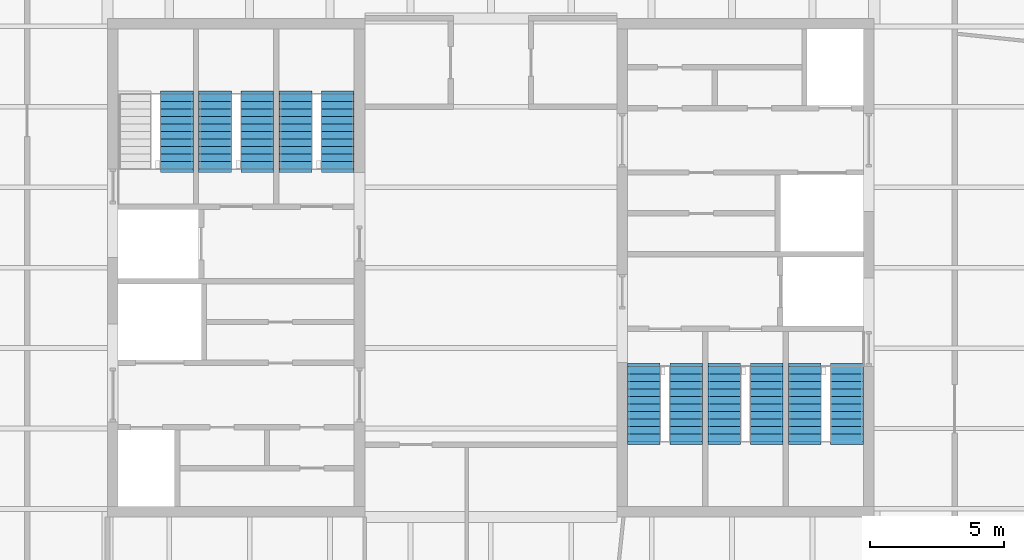
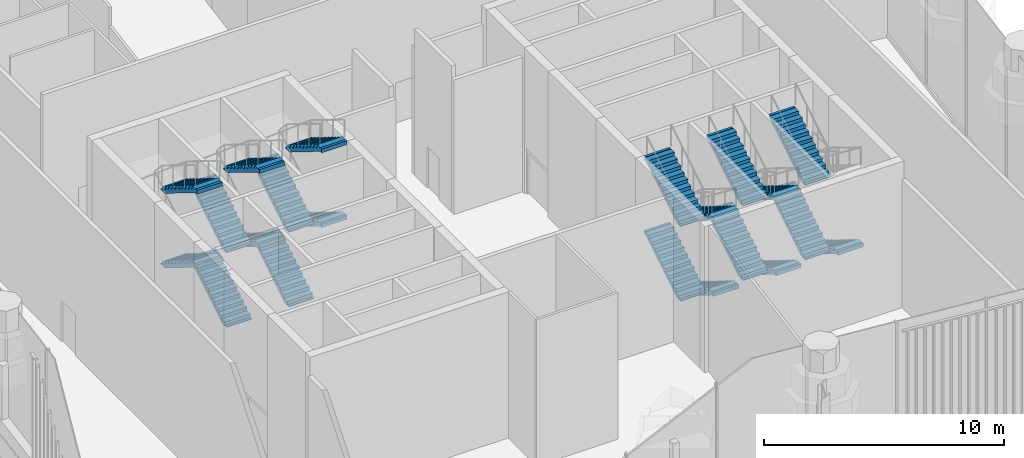
# One storey, part 13 of 17: 21 stair flights, 6 elements without a shape of their own.
"""IFC4 building model written with IfcOpenShell, lengths in metres."""

from ifc_helpers import new_model, si_unit, direction, frame, origin, place, context, subcontext, project, spatial, polyline, outline, extrude, material, type_object, element, aggregate, save


model = new_model("IFC4")

# Units and contexts
model_context = context("Model", 3, precision=1e-05, world=origin(), true_north=direction((0.0, 1.0)))
body_context = subcontext(model_context, "Body", "Model", "MODEL_VIEW")
ifc_project = project(units=[si_unit("LENGTHUNIT", "METRE"), si_unit("AREAUNIT", "SQUARE_METRE"), si_unit("VOLUMEUNIT", "CUBIC_METRE"), si_unit("PLANEANGLEUNIT", "RADIAN"), si_unit("MASSUNIT", "GRAM", prefix="KILO")], contexts=[model_context])

# Site, building, storey
site_placement = place(None, origin())
site = spatial("IfcSite", under=ifc_project, at=site_placement, CompositionType="ELEMENT")
building_placement = place(site_placement, origin())
building = spatial("IfcBuilding", under=site, at=building_placement, Name="Millrace Tower", CompositionType="ELEMENT")
storey_placement = place(building_placement, frame((0.0, 0.0, 311.10009765625)))
storey = spatial("IfcBuildingStorey", under=building, at=storey_placement, Name="L72", CompositionType="ELEMENT", Elevation=311.10009765625)

# Stair, stair flights
ifc_material_1 = material(Name="Concrete C35", Category="concrete")
stair_type = type_object("IfcStairType", Name="Exit stair", PredefinedType="HALF_TURN_STAIR", material=ifc_material_1)
placement = place(storey_placement, origin())
stair_1 = element("IfcStair", 1, at=placement, inside=storey, type_object=stair_type, Name="Stair 1 W L72", PredefinedType="HALF_TURN_STAIR")
ifc_material_2 = material(Name="Concrete C35", Category="concrete")
stair_flight_type = type_object("IfcStairFlightType", Name="Exit stair flight", PredefinedType="STRAIGHT", material=ifc_material_2)
stair_flight_1_placement = place(storey_placement, frame((-11.7099609375, 6.47998046875, 1.89990234375), z_axis=(0.0, 0.0, 1.0), x_axis=(0.0, -1.0, 0.0)))
stair_flight_1 = element("IfcStairFlight", 2, at=stair_flight_1_placement, type_object=stair_flight_type, Name="ST12 flight 2", NumberOfRisers=11, NumberOfTreads=10, PredefinedType="STRAIGHT", RiserHeight=0.172727273, TreadLength=0.28, context=body_context, shape_type="SweptSolid", body=[
    extrude(outline(polyline([(-0.1201171875, -0.0400390625), (-0.1201171875, 0.0), (0.0, 0.0), (0.0, 0.172607421875), (0.280029296875, 0.172607421875), (0.280029296875, 0.345458984375), (0.56005859375, 0.345458984375), (0.56005859375, 0.51806640625), (0.840087890625, 0.51806640625), (0.840087890625, 0.69091796875), (1.1201171875, 0.69091796875), (1.1201171875, 0.863525390625), (1.39990234375, 0.863525390625), (1.39990234375, 1.036376953125), (1.679931640625, 1.036376953125), (1.679931640625, 1.208984375), (1.9599609375, 1.208984375), (1.9599609375, 1.3818359375), (2.239990234375, 1.3818359375), (2.239990234375, 1.554443359375), (2.52001953125, 1.554443359375), (2.52001953125, 1.727294921875), (2.800048828125, 1.727294921875), (2.800048828125, 1.747314453125), (2.919921875, 1.747314453125), (2.919921875, 1.551025390625), (2.800048828125, 1.551025390625), (0.285400390625, 0.0), (0.285400390625, -0.0400390625), (-0.1201171875, -0.0400390625)])), frame((0.0, 0.60986328125, 0.0), z_axis=(0.0, -1.0, 0.0), x_axis=(1.0, 0.0, 0.0)), (0.0, 0.0, 1.0), 1.219970703125),
])
stair_flight_2_placement = place(storey_placement, frame((-11.7099609375, 6.47998046875, 5.699951171875), z_axis=(0.0, 0.0, 1.0), x_axis=(0.0, -1.0, 0.0)))
stair_flight_2 = element("IfcStairFlight", 3, at=stair_flight_2_placement, type_object=stair_flight_type, Name="ST12 flight 4", NumberOfRisers=11, NumberOfTreads=10, PredefinedType="STRAIGHT", RiserHeight=0.172727273, TreadLength=0.28, context=body_context, shape_type="SweptSolid", body=[
    extrude(outline(polyline([(-0.1201171875, -0.0400390625), (-0.1201171875, 0.0), (0.0, 0.0), (0.0, 0.172607421875), (0.280029296875, 0.172607421875), (0.280029296875, 0.345458984375), (0.56005859375, 0.345458984375), (0.56005859375, 0.51806640625), (0.840087890625, 0.51806640625), (0.840087890625, 0.69091796875), (1.1201171875, 0.69091796875), (1.1201171875, 0.863525390625), (1.39990234375, 0.863525390625), (1.39990234375, 1.036376953125), (1.679931640625, 1.036376953125), (1.679931640625, 1.208984375), (1.9599609375, 1.208984375), (1.9599609375, 1.3818359375), (2.239990234375, 1.3818359375), (2.239990234375, 1.554443359375), (2.52001953125, 1.554443359375), (2.52001953125, 1.727294921875), (2.800048828125, 1.727294921875), (2.800048828125, 1.747314453125), (2.919921875, 1.747314453125), (2.919921875, 1.551025390625), (2.800048828125, 1.551025390625), (0.285400390625, 0.0), (0.285400390625, -0.0400390625), (-0.1201171875, -0.0400390625)])), frame((0.0, 0.60986328125, 0.0), z_axis=(0.0, -1.0, 0.0), x_axis=(1.0, 0.0, 0.0)), (0.0, 0.0, 1.0), 1.219970703125),
])
aggregate(stair_1, [stair_flight_1, stair_flight_2])

stair_2 = element("IfcStair", 4, at=placement, inside=storey, type_object=stair_type, Name="Stair 2 W L72", PredefinedType="HALF_TURN_STAIR")
stair_flight_3_placement = place(storey_placement, frame((-10.2900390625, 3.679931640625, 0.0), z_axis=(0.0, 0.0, 1.0), x_axis=(0.0, 1.0, 0.0)))
stair_flight_3 = element("IfcStairFlight", 5, at=stair_flight_3_placement, type_object=stair_flight_type, Name="ST12 flight 1", NumberOfRisers=11, NumberOfTreads=10, PredefinedType="STRAIGHT", RiserHeight=0.172727273, TreadLength=0.28, context=body_context, shape_type="SweptSolid", body=[
    extrude(outline(polyline([(-0.1201171875, -0.0400390625), (-0.1201171875, 0.0), (0.0, 0.0), (0.0, 0.172607421875), (0.280029296875, 0.172607421875), (0.280029296875, 0.345458984375), (0.56005859375, 0.345458984375), (0.56005859375, 0.51806640625), (0.840087890625, 0.51806640625), (0.840087890625, 0.69091796875), (1.1201171875, 0.69091796875), (1.1201171875, 0.863525390625), (1.39990234375, 0.863525390625), (1.39990234375, 1.036376953125), (1.679931640625, 1.036376953125), (1.679931640625, 1.208984375), (1.9599609375, 1.208984375), (1.9599609375, 1.3818359375), (2.239990234375, 1.3818359375), (2.239990234375, 1.554443359375), (2.52001953125, 1.554443359375), (2.52001953125, 1.727294921875), (2.800048828125, 1.727294921875), (2.800048828125, 1.747314453125), (2.919921875, 1.747314453125), (2.919921875, 1.551025390625), (2.800048828125, 1.551025390625), (0.285400390625, 0.0), (0.285400390625, -0.0400390625), (-0.1201171875, -0.0400390625)])), frame((0.0, 0.60986328125, 0.0), z_axis=(0.0, -1.0, 0.0), x_axis=(1.0, 0.0, 0.0)), (0.0, 0.0, 1.0), 1.219970703125),
])
stair_flight_4_placement = place(storey_placement, frame((-8.7099609375, 6.47998046875, 1.89990234375), z_axis=(0.0, 0.0, 1.0), x_axis=(0.0, -1.0, 0.0)))
stair_flight_4 = element("IfcStairFlight", 6, at=stair_flight_4_placement, type_object=stair_flight_type, Name="ST12 flight 2", NumberOfRisers=11, NumberOfTreads=10, PredefinedType="STRAIGHT", RiserHeight=0.172727273, TreadLength=0.28, context=body_context, shape_type="SweptSolid", body=[
    extrude(outline(polyline([(-0.1201171875, -0.0400390625), (-0.1201171875, 0.0), (0.0, 0.0), (0.0, 0.172607421875), (0.280029296875, 0.172607421875), (0.280029296875, 0.345458984375), (0.56005859375, 0.345458984375), (0.56005859375, 0.51806640625), (0.840087890625, 0.51806640625), (0.840087890625, 0.69091796875), (1.1201171875, 0.69091796875), (1.1201171875, 0.863525390625), (1.39990234375, 0.863525390625), (1.39990234375, 1.036376953125), (1.679931640625, 1.036376953125), (1.679931640625, 1.208984375), (1.9599609375, 1.208984375), (1.9599609375, 1.3818359375), (2.239990234375, 1.3818359375), (2.239990234375, 1.554443359375), (2.52001953125, 1.554443359375), (2.52001953125, 1.727294921875), (2.800048828125, 1.727294921875), (2.800048828125, 1.747314453125), (2.919921875, 1.747314453125), (2.919921875, 1.551025390625), (2.800048828125, 1.551025390625), (0.285400390625, 0.0), (0.285400390625, -0.0400390625), (-0.1201171875, -0.0400390625)])), frame((0.0, 0.60986328125, 0.0), z_axis=(0.0, -1.0, 0.0), x_axis=(1.0, 0.0, 0.0)), (0.0, 0.0, 1.0), 1.219970703125),
])
stair_flight_5_placement = place(storey_placement, frame((-10.2900390625, 3.679931640625, 3.7998046875), z_axis=(0.0, 0.0, 1.0), x_axis=(0.0, 1.0, 0.0)))
stair_flight_5 = element("IfcStairFlight", 7, at=stair_flight_5_placement, type_object=stair_flight_type, Name="ST12 flight 3", NumberOfRisers=11, NumberOfTreads=10, PredefinedType="STRAIGHT", RiserHeight=0.172727273, TreadLength=0.28, context=body_context, shape_type="SweptSolid", body=[
    extrude(outline(polyline([(-0.1201171875, -0.0400390625), (-0.1201171875, 0.0), (0.0, 0.0), (0.0, 0.172607421875), (0.280029296875, 0.172607421875), (0.280029296875, 0.345458984375), (0.56005859375, 0.345458984375), (0.56005859375, 0.51806640625), (0.840087890625, 0.51806640625), (0.840087890625, 0.69091796875), (1.1201171875, 0.69091796875), (1.1201171875, 0.863525390625), (1.39990234375, 0.863525390625), (1.39990234375, 1.036376953125), (1.679931640625, 1.036376953125), (1.679931640625, 1.208984375), (1.9599609375, 1.208984375), (1.9599609375, 1.3818359375), (2.239990234375, 1.3818359375), (2.239990234375, 1.554443359375), (2.52001953125, 1.554443359375), (2.52001953125, 1.727294921875), (2.800048828125, 1.727294921875), (2.800048828125, 1.747314453125), (2.919921875, 1.747314453125), (2.919921875, 1.551025390625), (2.800048828125, 1.551025390625), (0.285400390625, 0.0), (0.285400390625, -0.0400390625), (-0.1201171875, -0.0400390625)])), frame((0.0, 0.60986328125, 0.0), z_axis=(0.0, -1.0, 0.0), x_axis=(1.0, 0.0, 0.0)), (0.0, 0.0, 1.0), 1.219970703125),
])
stair_flight_6_placement = place(storey_placement, frame((-8.7099609375, 6.47998046875, 5.699951171875), z_axis=(0.0, 0.0, 1.0), x_axis=(0.0, -1.0, 0.0)))
stair_flight_6 = element("IfcStairFlight", 8, at=stair_flight_6_placement, type_object=stair_flight_type, Name="ST12 flight 4", NumberOfRisers=11, NumberOfTreads=10, PredefinedType="STRAIGHT", RiserHeight=0.172727273, TreadLength=0.28, context=body_context, shape_type="SweptSolid", body=[
    extrude(outline(polyline([(-0.1201171875, -0.0400390625), (-0.1201171875, 0.0), (0.0, 0.0), (0.0, 0.172607421875), (0.280029296875, 0.172607421875), (0.280029296875, 0.345458984375), (0.56005859375, 0.345458984375), (0.56005859375, 0.51806640625), (0.840087890625, 0.51806640625), (0.840087890625, 0.69091796875), (1.1201171875, 0.69091796875), (1.1201171875, 0.863525390625), (1.39990234375, 0.863525390625), (1.39990234375, 1.036376953125), (1.679931640625, 1.036376953125), (1.679931640625, 1.208984375), (1.9599609375, 1.208984375), (1.9599609375, 1.3818359375), (2.239990234375, 1.3818359375), (2.239990234375, 1.554443359375), (2.52001953125, 1.554443359375), (2.52001953125, 1.727294921875), (2.800048828125, 1.727294921875), (2.800048828125, 1.747314453125), (2.919921875, 1.747314453125), (2.919921875, 1.551025390625), (2.800048828125, 1.551025390625), (0.285400390625, 0.0), (0.285400390625, -0.0400390625), (-0.1201171875, -0.0400390625)])), frame((0.0, 0.60986328125, 0.0), z_axis=(0.0, -1.0, 0.0), x_axis=(1.0, 0.0, 0.0)), (0.0, 0.0, 1.0), 1.219970703125),
])
aggregate(stair_2, [stair_flight_3, stair_flight_4, stair_flight_5, stair_flight_6])

stair_3 = element("IfcStair", 9, at=placement, inside=storey, type_object=stair_type, Name="Stair 3 W L72", PredefinedType="HALF_TURN_STAIR")
stair_flight_7_placement = place(storey_placement, frame((-7.2900390625, 3.679931640625, 0.0), z_axis=(0.0, 0.0, 1.0), x_axis=(0.0, 1.0, 0.0)))
stair_flight_7 = element("IfcStairFlight", 10, at=stair_flight_7_placement, type_object=stair_flight_type, Name="ST12 flight 1", NumberOfRisers=11, NumberOfTreads=10, PredefinedType="STRAIGHT", RiserHeight=0.172727273, TreadLength=0.28, context=body_context, shape_type="SweptSolid", body=[
    extrude(outline(polyline([(-0.1201171875, -0.0400390625), (-0.1201171875, 0.0), (0.0, 0.0), (0.0, 0.172607421875), (0.280029296875, 0.172607421875), (0.280029296875, 0.345458984375), (0.56005859375, 0.345458984375), (0.56005859375, 0.51806640625), (0.840087890625, 0.51806640625), (0.840087890625, 0.69091796875), (1.1201171875, 0.69091796875), (1.1201171875, 0.863525390625), (1.39990234375, 0.863525390625), (1.39990234375, 1.036376953125), (1.679931640625, 1.036376953125), (1.679931640625, 1.208984375), (1.9599609375, 1.208984375), (1.9599609375, 1.3818359375), (2.239990234375, 1.3818359375), (2.239990234375, 1.554443359375), (2.52001953125, 1.554443359375), (2.52001953125, 1.727294921875), (2.800048828125, 1.727294921875), (2.800048828125, 1.747314453125), (2.919921875, 1.747314453125), (2.919921875, 1.551025390625), (2.800048828125, 1.551025390625), (0.285400390625, 0.0), (0.285400390625, -0.0400390625), (-0.1201171875, -0.0400390625)])), frame((0.0, 0.60986328125, 0.0), z_axis=(0.0, -1.0, 0.0), x_axis=(1.0, 0.0, 0.0)), (0.0, 0.0, 1.0), 1.219970703125),
])
stair_flight_8_placement = place(storey_placement, frame((-5.7099609375, 6.47998046875, 1.89990234375), z_axis=(0.0, 0.0, 1.0), x_axis=(0.0, -1.0, 0.0)))
stair_flight_8 = element("IfcStairFlight", 11, at=stair_flight_8_placement, type_object=stair_flight_type, Name="ST12 flight 2", NumberOfRisers=11, NumberOfTreads=10, PredefinedType="STRAIGHT", RiserHeight=0.172727273, TreadLength=0.28, context=body_context, shape_type="SweptSolid", body=[
    extrude(outline(polyline([(-0.1201171875, -0.0400390625), (-0.1201171875, 0.0), (0.0, 0.0), (0.0, 0.172607421875), (0.280029296875, 0.172607421875), (0.280029296875, 0.345458984375), (0.56005859375, 0.345458984375), (0.56005859375, 0.51806640625), (0.840087890625, 0.51806640625), (0.840087890625, 0.69091796875), (1.1201171875, 0.69091796875), (1.1201171875, 0.863525390625), (1.39990234375, 0.863525390625), (1.39990234375, 1.036376953125), (1.679931640625, 1.036376953125), (1.679931640625, 1.208984375), (1.9599609375, 1.208984375), (1.9599609375, 1.3818359375), (2.239990234375, 1.3818359375), (2.239990234375, 1.554443359375), (2.52001953125, 1.554443359375), (2.52001953125, 1.727294921875), (2.800048828125, 1.727294921875), (2.800048828125, 1.747314453125), (2.919921875, 1.747314453125), (2.919921875, 1.551025390625), (2.800048828125, 1.551025390625), (0.285400390625, 0.0), (0.285400390625, -0.0400390625), (-0.1201171875, -0.0400390625)])), frame((0.0, 0.60986328125, 0.0), z_axis=(0.0, -1.0, 0.0), x_axis=(1.0, 0.0, 0.0)), (0.0, 0.0, 1.0), 1.219970703125),
])
stair_flight_9_placement = place(storey_placement, frame((-7.2900390625, 3.679931640625, 3.7998046875), z_axis=(0.0, 0.0, 1.0), x_axis=(0.0, 1.0, 0.0)))
stair_flight_9 = element("IfcStairFlight", 12, at=stair_flight_9_placement, type_object=stair_flight_type, Name="ST12 flight 3", NumberOfRisers=11, NumberOfTreads=10, PredefinedType="STRAIGHT", RiserHeight=0.172727273, TreadLength=0.28, context=body_context, shape_type="SweptSolid", body=[
    extrude(outline(polyline([(-0.1201171875, -0.0400390625), (-0.1201171875, 0.0), (0.0, 0.0), (0.0, 0.172607421875), (0.280029296875, 0.172607421875), (0.280029296875, 0.345458984375), (0.56005859375, 0.345458984375), (0.56005859375, 0.51806640625), (0.840087890625, 0.51806640625), (0.840087890625, 0.69091796875), (1.1201171875, 0.69091796875), (1.1201171875, 0.863525390625), (1.39990234375, 0.863525390625), (1.39990234375, 1.036376953125), (1.679931640625, 1.036376953125), (1.679931640625, 1.208984375), (1.9599609375, 1.208984375), (1.9599609375, 1.3818359375), (2.239990234375, 1.3818359375), (2.239990234375, 1.554443359375), (2.52001953125, 1.554443359375), (2.52001953125, 1.727294921875), (2.800048828125, 1.727294921875), (2.800048828125, 1.747314453125), (2.919921875, 1.747314453125), (2.919921875, 1.551025390625), (2.800048828125, 1.551025390625), (0.285400390625, 0.0), (0.285400390625, -0.0400390625), (-0.1201171875, -0.0400390625)])), frame((0.0, 0.60986328125, 0.0), z_axis=(0.0, -1.0, 0.0), x_axis=(1.0, 0.0, 0.0)), (0.0, 0.0, 1.0), 1.219970703125),
])
stair_flight_10_placement = place(storey_placement, frame((-5.7099609375, 6.47998046875, 5.699951171875), z_axis=(0.0, 0.0, 1.0), x_axis=(0.0, -1.0, 0.0)))
stair_flight_10 = element("IfcStairFlight", 13, at=stair_flight_10_placement, type_object=stair_flight_type, Name="ST12 flight 4", NumberOfRisers=11, NumberOfTreads=10, PredefinedType="STRAIGHT", RiserHeight=0.172727273, TreadLength=0.28, context=body_context, shape_type="SweptSolid", body=[
    extrude(outline(polyline([(-0.1201171875, -0.0400390625), (-0.1201171875, 0.0), (0.0, 0.0), (0.0, 0.172607421875), (0.280029296875, 0.172607421875), (0.280029296875, 0.345458984375), (0.56005859375, 0.345458984375), (0.56005859375, 0.51806640625), (0.840087890625, 0.51806640625), (0.840087890625, 0.69091796875), (1.1201171875, 0.69091796875), (1.1201171875, 0.863525390625), (1.39990234375, 0.863525390625), (1.39990234375, 1.036376953125), (1.679931640625, 1.036376953125), (1.679931640625, 1.208984375), (1.9599609375, 1.208984375), (1.9599609375, 1.3818359375), (2.239990234375, 1.3818359375), (2.239990234375, 1.554443359375), (2.52001953125, 1.554443359375), (2.52001953125, 1.727294921875), (2.800048828125, 1.727294921875), (2.800048828125, 1.747314453125), (2.919921875, 1.747314453125), (2.919921875, 1.551025390625), (2.800048828125, 1.551025390625), (0.285400390625, 0.0), (0.285400390625, -0.0400390625), (-0.1201171875, -0.0400390625)])), frame((0.0, 0.60986328125, 0.0), z_axis=(0.0, -1.0, 0.0), x_axis=(1.0, 0.0, 0.0)), (0.0, 0.0, 1.0), 1.219970703125),
])
aggregate(stair_3, [stair_flight_7, stair_flight_8, stair_flight_9, stair_flight_10])

stair_4 = element("IfcStair", 14, at=placement, inside=storey, type_object=stair_type, Name="Stair 1 E L72", PredefinedType="HALF_TURN_STAIR")
stair_flight_11_placement = place(storey_placement, frame((13.2900390625, -3.679931640625, 0.0), z_axis=(0.0, 0.0, 1.0), x_axis=(0.0, -1.0, 0.0)))
stair_flight_11 = element("IfcStairFlight", 15, at=stair_flight_11_placement, type_object=stair_flight_type, Name="ST12 flight 1", NumberOfRisers=11, NumberOfTreads=10, PredefinedType="STRAIGHT", RiserHeight=0.172727273, TreadLength=0.28, context=body_context, shape_type="SweptSolid", body=[
    extrude(outline(polyline([(-0.1201171875, -0.0400390625), (-0.1201171875, 0.0), (0.0, 0.0), (0.0, 0.172607421875), (0.280029296875, 0.172607421875), (0.280029296875, 0.345458984375), (0.56005859375, 0.345458984375), (0.56005859375, 0.51806640625), (0.840087890625, 0.51806640625), (0.840087890625, 0.69091796875), (1.1201171875, 0.69091796875), (1.1201171875, 0.863525390625), (1.39990234375, 0.863525390625), (1.39990234375, 1.036376953125), (1.679931640625, 1.036376953125), (1.679931640625, 1.208984375), (1.9599609375, 1.208984375), (1.9599609375, 1.3818359375), (2.239990234375, 1.3818359375), (2.239990234375, 1.554443359375), (2.52001953125, 1.554443359375), (2.52001953125, 1.727294921875), (2.800048828125, 1.727294921875), (2.800048828125, 1.747314453125), (2.919921875, 1.747314453125), (2.919921875, 1.551025390625), (2.800048828125, 1.551025390625), (0.285400390625, 0.0), (0.285400390625, -0.0400390625), (-0.1201171875, -0.0400390625)])), frame((0.0, 0.60986328125, 0.0), z_axis=(0.0, -1.0, 0.0), x_axis=(1.0, 0.0, 0.0)), (0.0, 0.0, 1.0), 1.219970703125),
])
stair_flight_12_placement = place(storey_placement, frame((11.7099609375, -6.47998046875, 1.89990234375), z_axis=(0.0, 0.0, 1.0), x_axis=(0.0, 1.0, 0.0)))
stair_flight_12 = element("IfcStairFlight", 16, at=stair_flight_12_placement, type_object=stair_flight_type, Name="ST12 flight 2", NumberOfRisers=11, NumberOfTreads=10, PredefinedType="STRAIGHT", RiserHeight=0.172727273, TreadLength=0.28, context=body_context, shape_type="SweptSolid", body=[
    extrude(outline(polyline([(-0.1201171875, -0.0400390625), (-0.1201171875, 0.0), (0.0, 0.0), (0.0, 0.172607421875), (0.280029296875, 0.172607421875), (0.280029296875, 0.345458984375), (0.56005859375, 0.345458984375), (0.56005859375, 0.51806640625), (0.840087890625, 0.51806640625), (0.840087890625, 0.69091796875), (1.1201171875, 0.69091796875), (1.1201171875, 0.863525390625), (1.39990234375, 0.863525390625), (1.39990234375, 1.036376953125), (1.679931640625, 1.036376953125), (1.679931640625, 1.208984375), (1.9599609375, 1.208984375), (1.9599609375, 1.3818359375), (2.239990234375, 1.3818359375), (2.239990234375, 1.554443359375), (2.52001953125, 1.554443359375), (2.52001953125, 1.727294921875), (2.800048828125, 1.727294921875), (2.800048828125, 1.747314453125), (2.919921875, 1.747314453125), (2.919921875, 1.551025390625), (2.800048828125, 1.551025390625), (0.285400390625, 0.0), (0.285400390625, -0.0400390625), (-0.1201171875, -0.0400390625)])), frame((0.0, 0.60986328125, 0.0), z_axis=(0.0, -1.0, 0.0), x_axis=(1.0, 0.0, 0.0)), (0.0, 0.0, 1.0), 1.219970703125),
])
stair_flight_13_placement = place(storey_placement, frame((11.7099609375, -6.47998046875, 5.699951171875), z_axis=(0.0, 0.0, 1.0), x_axis=(0.0, 1.0, 0.0)))
stair_flight_13 = element("IfcStairFlight", 17, at=stair_flight_13_placement, type_object=stair_flight_type, Name="ST12 flight 4", NumberOfRisers=11, NumberOfTreads=10, PredefinedType="STRAIGHT", RiserHeight=0.172727273, TreadLength=0.28, context=body_context, shape_type="SweptSolid", body=[
    extrude(outline(polyline([(-0.1201171875, -0.0400390625), (-0.1201171875, 0.0), (0.0, 0.0), (0.0, 0.172607421875), (0.280029296875, 0.172607421875), (0.280029296875, 0.345458984375), (0.56005859375, 0.345458984375), (0.56005859375, 0.51806640625), (0.840087890625, 0.51806640625), (0.840087890625, 0.69091796875), (1.1201171875, 0.69091796875), (1.1201171875, 0.863525390625), (1.39990234375, 0.863525390625), (1.39990234375, 1.036376953125), (1.679931640625, 1.036376953125), (1.679931640625, 1.208984375), (1.9599609375, 1.208984375), (1.9599609375, 1.3818359375), (2.239990234375, 1.3818359375), (2.239990234375, 1.554443359375), (2.52001953125, 1.554443359375), (2.52001953125, 1.727294921875), (2.800048828125, 1.727294921875), (2.800048828125, 1.747314453125), (2.919921875, 1.747314453125), (2.919921875, 1.551025390625), (2.800048828125, 1.551025390625), (0.285400390625, 0.0), (0.285400390625, -0.0400390625), (-0.1201171875, -0.0400390625)])), frame((0.0, 0.60986328125, 0.0), z_axis=(0.0, -1.0, 0.0), x_axis=(1.0, 0.0, 0.0)), (0.0, 0.0, 1.0), 1.219970703125),
])
aggregate(stair_4, [stair_flight_11, stair_flight_12, stair_flight_13])

stair_5 = element("IfcStair", 18, at=placement, inside=storey, type_object=stair_type, Name="Stair 2 E L72", PredefinedType="HALF_TURN_STAIR")
stair_flight_14_placement = place(storey_placement, frame((10.2900390625, -3.679931640625, 0.0), z_axis=(0.0, 0.0, 1.0), x_axis=(0.0, -1.0, 0.0)))
stair_flight_14 = element("IfcStairFlight", 19, at=stair_flight_14_placement, type_object=stair_flight_type, Name="ST12 flight 1", NumberOfRisers=11, NumberOfTreads=10, PredefinedType="STRAIGHT", RiserHeight=0.172727273, TreadLength=0.28, context=body_context, shape_type="SweptSolid", body=[
    extrude(outline(polyline([(-0.1201171875, -0.0400390625), (-0.1201171875, 0.0), (0.0, 0.0), (0.0, 0.172607421875), (0.280029296875, 0.172607421875), (0.280029296875, 0.345458984375), (0.56005859375, 0.345458984375), (0.56005859375, 0.51806640625), (0.840087890625, 0.51806640625), (0.840087890625, 0.69091796875), (1.1201171875, 0.69091796875), (1.1201171875, 0.863525390625), (1.39990234375, 0.863525390625), (1.39990234375, 1.036376953125), (1.679931640625, 1.036376953125), (1.679931640625, 1.208984375), (1.9599609375, 1.208984375), (1.9599609375, 1.3818359375), (2.239990234375, 1.3818359375), (2.239990234375, 1.554443359375), (2.52001953125, 1.554443359375), (2.52001953125, 1.727294921875), (2.800048828125, 1.727294921875), (2.800048828125, 1.747314453125), (2.919921875, 1.747314453125), (2.919921875, 1.551025390625), (2.800048828125, 1.551025390625), (0.285400390625, 0.0), (0.285400390625, -0.0400390625), (-0.1201171875, -0.0400390625)])), frame((0.0, 0.60986328125, 0.0), z_axis=(0.0, -1.0, 0.0), x_axis=(1.0, 0.0, 0.0)), (0.0, 0.0, 1.0), 1.219970703125),
])
stair_flight_15_placement = place(storey_placement, frame((8.7099609375, -6.47998046875, 1.89990234375), z_axis=(0.0, 0.0, 1.0), x_axis=(0.0, 1.0, 0.0)))
stair_flight_15 = element("IfcStairFlight", 20, at=stair_flight_15_placement, type_object=stair_flight_type, Name="ST12 flight 2", NumberOfRisers=11, NumberOfTreads=10, PredefinedType="STRAIGHT", RiserHeight=0.172727273, TreadLength=0.28, context=body_context, shape_type="SweptSolid", body=[
    extrude(outline(polyline([(-0.1201171875, -0.0400390625), (-0.1201171875, 0.0), (0.0, 0.0), (0.0, 0.172607421875), (0.280029296875, 0.172607421875), (0.280029296875, 0.345458984375), (0.56005859375, 0.345458984375), (0.56005859375, 0.51806640625), (0.840087890625, 0.51806640625), (0.840087890625, 0.69091796875), (1.1201171875, 0.69091796875), (1.1201171875, 0.863525390625), (1.39990234375, 0.863525390625), (1.39990234375, 1.036376953125), (1.679931640625, 1.036376953125), (1.679931640625, 1.208984375), (1.9599609375, 1.208984375), (1.9599609375, 1.3818359375), (2.239990234375, 1.3818359375), (2.239990234375, 1.554443359375), (2.52001953125, 1.554443359375), (2.52001953125, 1.727294921875), (2.800048828125, 1.727294921875), (2.800048828125, 1.747314453125), (2.919921875, 1.747314453125), (2.919921875, 1.551025390625), (2.800048828125, 1.551025390625), (0.285400390625, 0.0), (0.285400390625, -0.0400390625), (-0.1201171875, -0.0400390625)])), frame((0.0, 0.60986328125, 0.0), z_axis=(0.0, -1.0, 0.0), x_axis=(1.0, 0.0, 0.0)), (0.0, 0.0, 1.0), 1.219970703125),
])
stair_flight_16_placement = place(storey_placement, frame((10.2900390625, -3.679931640625, 3.7998046875), z_axis=(0.0, 0.0, 1.0), x_axis=(0.0, -1.0, 0.0)))
stair_flight_16 = element("IfcStairFlight", 21, at=stair_flight_16_placement, type_object=stair_flight_type, Name="ST12 flight 3", NumberOfRisers=11, NumberOfTreads=10, PredefinedType="STRAIGHT", RiserHeight=0.172727273, TreadLength=0.28, context=body_context, shape_type="SweptSolid", body=[
    extrude(outline(polyline([(-0.1201171875, -0.0400390625), (-0.1201171875, 0.0), (0.0, 0.0), (0.0, 0.172607421875), (0.280029296875, 0.172607421875), (0.280029296875, 0.345458984375), (0.56005859375, 0.345458984375), (0.56005859375, 0.51806640625), (0.840087890625, 0.51806640625), (0.840087890625, 0.69091796875), (1.1201171875, 0.69091796875), (1.1201171875, 0.863525390625), (1.39990234375, 0.863525390625), (1.39990234375, 1.036376953125), (1.679931640625, 1.036376953125), (1.679931640625, 1.208984375), (1.9599609375, 1.208984375), (1.9599609375, 1.3818359375), (2.239990234375, 1.3818359375), (2.239990234375, 1.554443359375), (2.52001953125, 1.554443359375), (2.52001953125, 1.727294921875), (2.800048828125, 1.727294921875), (2.800048828125, 1.747314453125), (2.919921875, 1.747314453125), (2.919921875, 1.551025390625), (2.800048828125, 1.551025390625), (0.285400390625, 0.0), (0.285400390625, -0.0400390625), (-0.1201171875, -0.0400390625)])), frame((0.0, 0.60986328125, 0.0), z_axis=(0.0, -1.0, 0.0), x_axis=(1.0, 0.0, 0.0)), (0.0, 0.0, 1.0), 1.219970703125),
])
stair_flight_17_placement = place(storey_placement, frame((8.7099609375, -6.47998046875, 5.699951171875), z_axis=(0.0, 0.0, 1.0), x_axis=(0.0, 1.0, 0.0)))
stair_flight_17 = element("IfcStairFlight", 22, at=stair_flight_17_placement, type_object=stair_flight_type, Name="ST12 flight 4", NumberOfRisers=11, NumberOfTreads=10, PredefinedType="STRAIGHT", RiserHeight=0.172727273, TreadLength=0.28, context=body_context, shape_type="SweptSolid", body=[
    extrude(outline(polyline([(-0.1201171875, -0.0400390625), (-0.1201171875, 0.0), (0.0, 0.0), (0.0, 0.172607421875), (0.280029296875, 0.172607421875), (0.280029296875, 0.345458984375), (0.56005859375, 0.345458984375), (0.56005859375, 0.51806640625), (0.840087890625, 0.51806640625), (0.840087890625, 0.69091796875), (1.1201171875, 0.69091796875), (1.1201171875, 0.863525390625), (1.39990234375, 0.863525390625), (1.39990234375, 1.036376953125), (1.679931640625, 1.036376953125), (1.679931640625, 1.208984375), (1.9599609375, 1.208984375), (1.9599609375, 1.3818359375), (2.239990234375, 1.3818359375), (2.239990234375, 1.554443359375), (2.52001953125, 1.554443359375), (2.52001953125, 1.727294921875), (2.800048828125, 1.727294921875), (2.800048828125, 1.747314453125), (2.919921875, 1.747314453125), (2.919921875, 1.551025390625), (2.800048828125, 1.551025390625), (0.285400390625, 0.0), (0.285400390625, -0.0400390625), (-0.1201171875, -0.0400390625)])), frame((0.0, 0.60986328125, 0.0), z_axis=(0.0, -1.0, 0.0), x_axis=(1.0, 0.0, 0.0)), (0.0, 0.0, 1.0), 1.219970703125),
])
aggregate(stair_5, [stair_flight_14, stair_flight_15, stair_flight_16, stair_flight_17])

stair_6 = element("IfcStair", 23, at=placement, inside=storey, type_object=stair_type, Name="Stair 3 E L72", PredefinedType="HALF_TURN_STAIR")
stair_flight_18_placement = place(storey_placement, frame((7.2900390625, -3.679931640625, 0.0), z_axis=(0.0, 0.0, 1.0), x_axis=(0.0, -1.0, 0.0)))
stair_flight_18 = element("IfcStairFlight", 24, at=stair_flight_18_placement, type_object=stair_flight_type, Name="ST12 flight 1", NumberOfRisers=11, NumberOfTreads=10, PredefinedType="STRAIGHT", RiserHeight=0.172727273, TreadLength=0.28, context=body_context, shape_type="SweptSolid", body=[
    extrude(outline(polyline([(-0.1201171875, -0.0400390625), (-0.1201171875, 0.0), (0.0, 0.0), (0.0, 0.172607421875), (0.280029296875, 0.172607421875), (0.280029296875, 0.345458984375), (0.56005859375, 0.345458984375), (0.56005859375, 0.51806640625), (0.840087890625, 0.51806640625), (0.840087890625, 0.69091796875), (1.1201171875, 0.69091796875), (1.1201171875, 0.863525390625), (1.39990234375, 0.863525390625), (1.39990234375, 1.036376953125), (1.679931640625, 1.036376953125), (1.679931640625, 1.208984375), (1.9599609375, 1.208984375), (1.9599609375, 1.3818359375), (2.239990234375, 1.3818359375), (2.239990234375, 1.554443359375), (2.52001953125, 1.554443359375), (2.52001953125, 1.727294921875), (2.800048828125, 1.727294921875), (2.800048828125, 1.747314453125), (2.919921875, 1.747314453125), (2.919921875, 1.551025390625), (2.800048828125, 1.551025390625), (0.285400390625, 0.0), (0.285400390625, -0.0400390625), (-0.1201171875, -0.0400390625)])), frame((0.0, 0.60986328125, 0.0), z_axis=(0.0, -1.0, 0.0), x_axis=(1.0, 0.0, 0.0)), (0.0, 0.0, 1.0), 1.219970703125),
])
stair_flight_19_placement = place(storey_placement, frame((5.7099609375, -6.47998046875, 1.89990234375), z_axis=(0.0, 0.0, 1.0), x_axis=(0.0, 1.0, 0.0)))
stair_flight_19 = element("IfcStairFlight", 25, at=stair_flight_19_placement, type_object=stair_flight_type, Name="ST12 flight 2", NumberOfRisers=11, NumberOfTreads=10, PredefinedType="STRAIGHT", RiserHeight=0.172727273, TreadLength=0.28, context=body_context, shape_type="SweptSolid", body=[
    extrude(outline(polyline([(-0.1201171875, -0.0400390625), (-0.1201171875, 0.0), (0.0, 0.0), (0.0, 0.172607421875), (0.280029296875, 0.172607421875), (0.280029296875, 0.345458984375), (0.56005859375, 0.345458984375), (0.56005859375, 0.51806640625), (0.840087890625, 0.51806640625), (0.840087890625, 0.69091796875), (1.1201171875, 0.69091796875), (1.1201171875, 0.863525390625), (1.39990234375, 0.863525390625), (1.39990234375, 1.036376953125), (1.679931640625, 1.036376953125), (1.679931640625, 1.208984375), (1.9599609375, 1.208984375), (1.9599609375, 1.3818359375), (2.239990234375, 1.3818359375), (2.239990234375, 1.554443359375), (2.52001953125, 1.554443359375), (2.52001953125, 1.727294921875), (2.800048828125, 1.727294921875), (2.800048828125, 1.747314453125), (2.919921875, 1.747314453125), (2.919921875, 1.551025390625), (2.800048828125, 1.551025390625), (0.285400390625, 0.0), (0.285400390625, -0.0400390625), (-0.1201171875, -0.0400390625)])), frame((0.0, 0.60986328125, 0.0), z_axis=(0.0, -1.0, 0.0), x_axis=(1.0, 0.0, 0.0)), (0.0, 0.0, 1.0), 1.219970703125),
])
stair_flight_20_placement = place(storey_placement, frame((7.2900390625, -3.679931640625, 3.7998046875), z_axis=(0.0, 0.0, 1.0), x_axis=(0.0, -1.0, 0.0)))
stair_flight_20 = element("IfcStairFlight", 26, at=stair_flight_20_placement, type_object=stair_flight_type, Name="ST12 flight 3", NumberOfRisers=11, NumberOfTreads=10, PredefinedType="STRAIGHT", RiserHeight=0.172727273, TreadLength=0.28, context=body_context, shape_type="SweptSolid", body=[
    extrude(outline(polyline([(-0.1201171875, -0.0400390625), (-0.1201171875, 0.0), (0.0, 0.0), (0.0, 0.172607421875), (0.280029296875, 0.172607421875), (0.280029296875, 0.345458984375), (0.56005859375, 0.345458984375), (0.56005859375, 0.51806640625), (0.840087890625, 0.51806640625), (0.840087890625, 0.69091796875), (1.1201171875, 0.69091796875), (1.1201171875, 0.863525390625), (1.39990234375, 0.863525390625), (1.39990234375, 1.036376953125), (1.679931640625, 1.036376953125), (1.679931640625, 1.208984375), (1.9599609375, 1.208984375), (1.9599609375, 1.3818359375), (2.239990234375, 1.3818359375), (2.239990234375, 1.554443359375), (2.52001953125, 1.554443359375), (2.52001953125, 1.727294921875), (2.800048828125, 1.727294921875), (2.800048828125, 1.747314453125), (2.919921875, 1.747314453125), (2.919921875, 1.551025390625), (2.800048828125, 1.551025390625), (0.285400390625, 0.0), (0.285400390625, -0.0400390625), (-0.1201171875, -0.0400390625)])), frame((0.0, 0.60986328125, 0.0), z_axis=(0.0, -1.0, 0.0), x_axis=(1.0, 0.0, 0.0)), (0.0, 0.0, 1.0), 1.219970703125),
])
stair_flight_21_placement = place(storey_placement, frame((5.7099609375, -6.47998046875, 5.699951171875), z_axis=(0.0, 0.0, 1.0), x_axis=(0.0, 1.0, 0.0)))
stair_flight_21 = element("IfcStairFlight", 27, at=stair_flight_21_placement, type_object=stair_flight_type, Name="ST12 flight 4", NumberOfRisers=11, NumberOfTreads=10, PredefinedType="STRAIGHT", RiserHeight=0.172727273, TreadLength=0.28, context=body_context, shape_type="SweptSolid", body=[
    extrude(outline(polyline([(-0.1201171875, -0.0400390625), (-0.1201171875, 0.0), (0.0, 0.0), (0.0, 0.172607421875), (0.280029296875, 0.172607421875), (0.280029296875, 0.345458984375), (0.56005859375, 0.345458984375), (0.56005859375, 0.51806640625), (0.840087890625, 0.51806640625), (0.840087890625, 0.69091796875), (1.1201171875, 0.69091796875), (1.1201171875, 0.863525390625), (1.39990234375, 0.863525390625), (1.39990234375, 1.036376953125), (1.679931640625, 1.036376953125), (1.679931640625, 1.208984375), (1.9599609375, 1.208984375), (1.9599609375, 1.3818359375), (2.239990234375, 1.3818359375), (2.239990234375, 1.554443359375), (2.52001953125, 1.554443359375), (2.52001953125, 1.727294921875), (2.800048828125, 1.727294921875), (2.800048828125, 1.747314453125), (2.919921875, 1.747314453125), (2.919921875, 1.551025390625), (2.800048828125, 1.551025390625), (0.285400390625, 0.0), (0.285400390625, -0.0400390625), (-0.1201171875, -0.0400390625)])), frame((0.0, 0.60986328125, 0.0), z_axis=(0.0, -1.0, 0.0), x_axis=(1.0, 0.0, 0.0)), (0.0, 0.0, 1.0), 1.219970703125),
])
aggregate(stair_6, [stair_flight_18, stair_flight_19, stair_flight_20, stair_flight_21])

save(model, "model.ifc")
